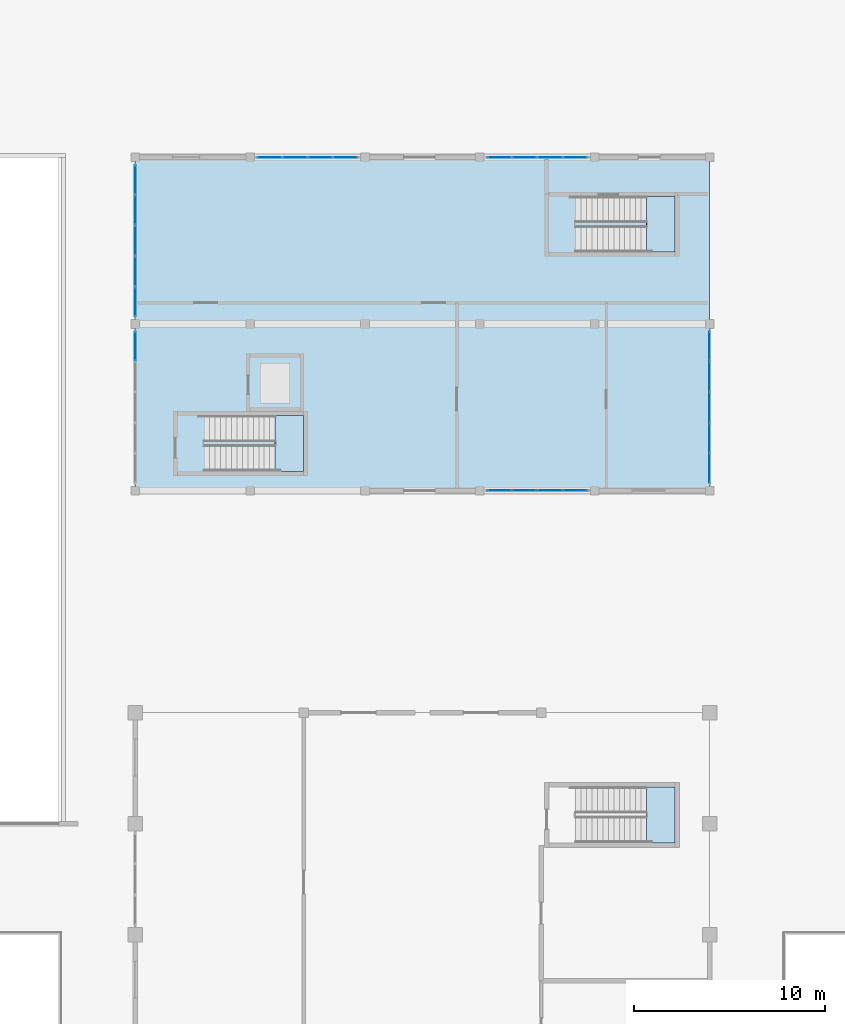
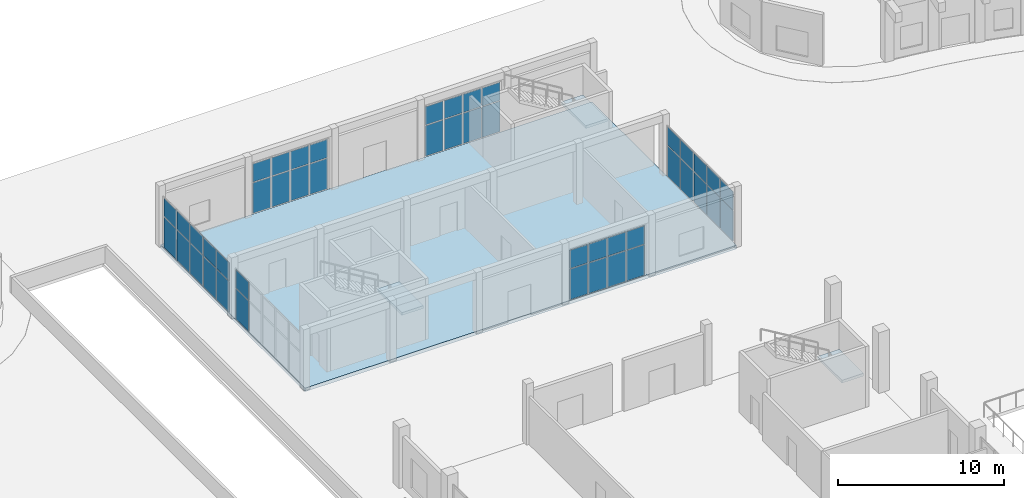
# One storey, part 79 of 132: 46 plates, 4 slabs, 9 elements without a shape of their own.
"""IFC4 building model written with IfcOpenShell, lengths in metres."""

from ifc_helpers import new_model, si_unit, direction, frame, origin, origin_2d, place, context, subcontext, project, spatial, polyline, rectangle, outline, extrude, material, layer, layer_set, type_object, element, aggregate, save


model = new_model("IFC4")

# Units and contexts
model_context = context("Model", 3, precision=1e-05, world=origin(), true_north=direction((0.0, 1.0)))
body_context = subcontext(model_context, "Body", "Model", "MODEL_VIEW")
ifc_project = project(units=[si_unit("LENGTHUNIT", "METRE"), si_unit("AREAUNIT", "SQUARE_METRE"), si_unit("VOLUMEUNIT", "CUBIC_METRE"), si_unit("PLANEANGLEUNIT", "RADIAN"), si_unit("MASSUNIT", "GRAM", prefix="KILO")], contexts=[model_context])

# Site, building, storey
site_placement = place(None, origin())
site = spatial("IfcSite", under=ifc_project, at=site_placement, CompositionType="ELEMENT")
building_placement = place(site_placement, origin())
building = spatial("IfcBuilding", under=site, at=building_placement, Name="Tanwirah Colonnade Gardens", CompositionType="ELEMENT")
storey_placement = place(building_placement, origin())
storey = spatial("IfcBuildingStorey", under=building, at=storey_placement, Name="L00", CompositionType="ELEMENT", Elevation=0.0)

# Curtain wall, plates
ifc_material_1 = material(Name="Bronze-anodised aluminium and solar-control low-E glass", Category="aluminium")
curtain_wall_type = type_object("IfcCurtainWallType", Name="CW-NUR", PredefinedType="NOTDEFINED", material=ifc_material_1)
curtain_wall_1_placement = place(storey_placement, origin())
curtain_wall_1 = element("IfcCurtainWall", 1, at=curtain_wall_1_placement, inside=storey, type_object=curtain_wall_type, Name="Curtain Wall CW-NUR-L00-S-3", PredefinedType="NOTDEFINED")
ifc_material_2 = material(Name="Solar-control low-E double glazing", Category="glass")
ifc_layer_1 = layer(ifc_material_2, 0.028076171875)
ifc_layer_set_1 = layer_set([ifc_layer_1], Name="Solar-control low-E double glazing")
plate_type = type_object("IfcPlateType", Name="CWP-GLZ28", PredefinedType="CURTAIN_PANEL", material=ifc_layer_set_1)
plate_1_placement = place(storey_placement, frame((97.027587890625, 92.0, 0.06005859375), z_axis=(0.0, 0.0, 1.0), x_axis=(1.0, 0.0, 0.0)))
plate_1 = element("IfcPlate", 2, at=plate_1_placement, type_object=plate_type, Name="CW-NUR panel 1.1", PredefinedType="CURTAIN_PANEL", context=body_context, shape_type="SweptSolid", body=[
    extrude(rectangle(XDim=1.235107421875, YDim=0.028076171875, at=origin_2d()), origin(), (0.0, 0.0, 1.0), 2.235107421875),
])
plate_2_placement = place(storey_placement, frame((97.027587890625, 92.0, 2.35498046875), z_axis=(0.0, 0.0, 1.0), x_axis=(1.0, 0.0, 0.0)))
plate_2 = element("IfcPlate", 3, at=plate_2_placement, type_object=plate_type, Name="CW-NUR panel 1.2", PredefinedType="CURTAIN_PANEL", context=body_context, shape_type="SweptSolid", body=[
    extrude(rectangle(XDim=1.235107421875, YDim=0.028076171875, at=origin_2d()), origin(), (0.0, 0.0, 1.0), 1.3349609375),
])
plate_3_placement = place(storey_placement, frame((98.33740234375, 92.0, 0.06005859375), z_axis=(0.0, 0.0, 1.0), x_axis=(1.0, 0.0, 0.0)))
plate_3 = element("IfcPlate", 4, at=plate_3_placement, type_object=plate_type, Name="CW-NUR panel 2.1", PredefinedType="CURTAIN_PANEL", context=body_context, shape_type="SweptSolid", body=[
    extrude(rectangle(XDim=1.264892578125, YDim=0.028076171875, at=origin_2d()), origin(), (0.0, 0.0, 1.0), 2.235107421875),
])
plate_4_placement = place(storey_placement, frame((98.33740234375, 92.0, 2.35498046875), z_axis=(0.0, 0.0, 1.0), x_axis=(1.0, 0.0, 0.0)))
plate_4 = element("IfcPlate", 5, at=plate_4_placement, type_object=plate_type, Name="CW-NUR panel 2.2", PredefinedType="CURTAIN_PANEL", context=body_context, shape_type="SweptSolid", body=[
    extrude(rectangle(XDim=1.264892578125, YDim=0.028076171875, at=origin_2d()), origin(), (0.0, 0.0, 1.0), 1.3349609375),
])
plate_5_placement = place(storey_placement, frame((99.66259765625, 92.0, 0.06005859375), z_axis=(0.0, 0.0, 1.0), x_axis=(1.0, 0.0, 0.0)))
plate_5 = element("IfcPlate", 6, at=plate_5_placement, type_object=plate_type, Name="CW-NUR panel 3.1", PredefinedType="CURTAIN_PANEL", context=body_context, shape_type="SweptSolid", body=[
    extrude(rectangle(XDim=1.264892578125, YDim=0.028076171875, at=origin_2d()), origin(), (0.0, 0.0, 1.0), 2.235107421875),
])
plate_6_placement = place(storey_placement, frame((99.66259765625, 92.0, 2.35498046875), z_axis=(0.0, 0.0, 1.0), x_axis=(1.0, 0.0, 0.0)))
plate_6 = element("IfcPlate", 7, at=plate_6_placement, type_object=plate_type, Name="CW-NUR panel 3.2", PredefinedType="CURTAIN_PANEL", context=body_context, shape_type="SweptSolid", body=[
    extrude(rectangle(XDim=1.264892578125, YDim=0.028076171875, at=origin_2d()), origin(), (0.0, 0.0, 1.0), 1.3349609375),
])
plate_7_placement = place(storey_placement, frame((100.972412109375, 92.0, 0.06005859375), z_axis=(0.0, 0.0, 1.0), x_axis=(1.0, 0.0, 0.0)))
plate_7 = element("IfcPlate", 8, at=plate_7_placement, type_object=plate_type, Name="CW-NUR panel 4.1", PredefinedType="CURTAIN_PANEL", context=body_context, shape_type="SweptSolid", body=[
    extrude(rectangle(XDim=1.235107421875, YDim=0.028076171875, at=origin_2d()), origin(), (0.0, 0.0, 1.0), 2.235107421875),
])
plate_8_placement = place(storey_placement, frame((100.972412109375, 92.0, 2.35498046875), z_axis=(0.0, 0.0, 1.0), x_axis=(1.0, 0.0, 0.0)))
plate_8 = element("IfcPlate", 9, at=plate_8_placement, type_object=plate_type, Name="CW-NUR panel 4.2", PredefinedType="CURTAIN_PANEL", context=body_context, shape_type="SweptSolid", body=[
    extrude(rectangle(XDim=1.235107421875, YDim=0.028076171875, at=origin_2d()), origin(), (0.0, 0.0, 1.0), 1.3349609375),
])
aggregate(curtain_wall_1, [plate_1, plate_2, plate_3, plate_4, plate_5, plate_6, plate_7, plate_8])

curtain_wall_2_placement = place(storey_placement, origin())
curtain_wall_2 = element("IfcCurtainWall", 10, at=curtain_wall_2_placement, inside=storey, type_object=curtain_wall_type, Name="Curtain Wall CW-NUR-L00-N-1", PredefinedType="NOTDEFINED")
plate_9_placement = place(storey_placement, frame((85.027587890625, 109.39990234375, 0.06005859375), z_axis=(0.0, 0.0, 1.0), x_axis=(1.0, 0.0, 0.0)))
plate_9 = element("IfcPlate", 11, at=plate_9_placement, type_object=plate_type, Name="CW-NUR panel 1.1", PredefinedType="CURTAIN_PANEL", context=body_context, shape_type="SweptSolid", body=[
    extrude(rectangle(XDim=1.235107421875, YDim=0.028076171875, at=origin_2d()), origin(), (0.0, 0.0, 1.0), 2.235107421875),
])
plate_10_placement = place(storey_placement, frame((85.027587890625, 109.39990234375, 2.35498046875), z_axis=(0.0, 0.0, 1.0), x_axis=(1.0, 0.0, 0.0)))
plate_10 = element("IfcPlate", 12, at=plate_10_placement, type_object=plate_type, Name="CW-NUR panel 1.2", PredefinedType="CURTAIN_PANEL", context=body_context, shape_type="SweptSolid", body=[
    extrude(rectangle(XDim=1.235107421875, YDim=0.028076171875, at=origin_2d()), origin(), (0.0, 0.0, 1.0), 1.3349609375),
])
plate_11_placement = place(storey_placement, frame((86.33740234375, 109.39990234375, 0.06005859375), z_axis=(0.0, 0.0, 1.0), x_axis=(1.0, 0.0, 0.0)))
plate_11 = element("IfcPlate", 13, at=plate_11_placement, type_object=plate_type, Name="CW-NUR panel 2.1", PredefinedType="CURTAIN_PANEL", context=body_context, shape_type="SweptSolid", body=[
    extrude(rectangle(XDim=1.264892578125, YDim=0.028076171875, at=origin_2d()), origin(), (0.0, 0.0, 1.0), 2.235107421875),
])
plate_12_placement = place(storey_placement, frame((86.33740234375, 109.39990234375, 2.35498046875), z_axis=(0.0, 0.0, 1.0), x_axis=(1.0, 0.0, 0.0)))
plate_12 = element("IfcPlate", 14, at=plate_12_placement, type_object=plate_type, Name="CW-NUR panel 2.2", PredefinedType="CURTAIN_PANEL", context=body_context, shape_type="SweptSolid", body=[
    extrude(rectangle(XDim=1.264892578125, YDim=0.028076171875, at=origin_2d()), origin(), (0.0, 0.0, 1.0), 1.3349609375),
])
plate_13_placement = place(storey_placement, frame((87.66259765625, 109.39990234375, 0.06005859375), z_axis=(0.0, 0.0, 1.0), x_axis=(1.0, 0.0, 0.0)))
plate_13 = element("IfcPlate", 15, at=plate_13_placement, type_object=plate_type, Name="CW-NUR panel 3.1", PredefinedType="CURTAIN_PANEL", context=body_context, shape_type="SweptSolid", body=[
    extrude(rectangle(XDim=1.264892578125, YDim=0.028076171875, at=origin_2d()), origin(), (0.0, 0.0, 1.0), 2.235107421875),
])
plate_14_placement = place(storey_placement, frame((87.66259765625, 109.39990234375, 2.35498046875), z_axis=(0.0, 0.0, 1.0), x_axis=(1.0, 0.0, 0.0)))
plate_14 = element("IfcPlate", 16, at=plate_14_placement, type_object=plate_type, Name="CW-NUR panel 3.2", PredefinedType="CURTAIN_PANEL", context=body_context, shape_type="SweptSolid", body=[
    extrude(rectangle(XDim=1.264892578125, YDim=0.028076171875, at=origin_2d()), origin(), (0.0, 0.0, 1.0), 1.3349609375),
])
plate_15_placement = place(storey_placement, frame((88.972412109375, 109.39990234375, 0.06005859375), z_axis=(0.0, 0.0, 1.0), x_axis=(1.0, 0.0, 0.0)))
plate_15 = element("IfcPlate", 17, at=plate_15_placement, type_object=plate_type, Name="CW-NUR panel 4.1", PredefinedType="CURTAIN_PANEL", context=body_context, shape_type="SweptSolid", body=[
    extrude(rectangle(XDim=1.235107421875, YDim=0.028076171875, at=origin_2d()), origin(), (0.0, 0.0, 1.0), 2.235107421875),
])
plate_16_placement = place(storey_placement, frame((88.972412109375, 109.39990234375, 2.35498046875), z_axis=(0.0, 0.0, 1.0), x_axis=(1.0, 0.0, 0.0)))
plate_16 = element("IfcPlate", 18, at=plate_16_placement, type_object=plate_type, Name="CW-NUR panel 4.2", PredefinedType="CURTAIN_PANEL", context=body_context, shape_type="SweptSolid", body=[
    extrude(rectangle(XDim=1.235107421875, YDim=0.028076171875, at=origin_2d()), origin(), (0.0, 0.0, 1.0), 1.3349609375),
])
aggregate(curtain_wall_2, [plate_9, plate_10, plate_11, plate_12, plate_13, plate_14, plate_15, plate_16])

curtain_wall_3_placement = place(storey_placement, origin())
curtain_wall_3 = element("IfcCurtainWall", 19, at=curtain_wall_3_placement, inside=storey, type_object=curtain_wall_type, Name="Curtain Wall CW-NUR-L00-N-3", PredefinedType="NOTDEFINED")
plate_17_placement = place(storey_placement, frame((97.027587890625, 109.39990234375, 0.06005859375), z_axis=(0.0, 0.0, 1.0), x_axis=(1.0, 0.0, 0.0)))
plate_17 = element("IfcPlate", 20, at=plate_17_placement, type_object=plate_type, Name="CW-NUR panel 1.1", PredefinedType="CURTAIN_PANEL", context=body_context, shape_type="SweptSolid", body=[
    extrude(rectangle(XDim=1.235107421875, YDim=0.028076171875, at=origin_2d()), origin(), (0.0, 0.0, 1.0), 2.235107421875),
])
plate_18_placement = place(storey_placement, frame((97.027587890625, 109.39990234375, 2.35498046875), z_axis=(0.0, 0.0, 1.0), x_axis=(1.0, 0.0, 0.0)))
plate_18 = element("IfcPlate", 21, at=plate_18_placement, type_object=plate_type, Name="CW-NUR panel 1.2", PredefinedType="CURTAIN_PANEL", context=body_context, shape_type="SweptSolid", body=[
    extrude(rectangle(XDim=1.235107421875, YDim=0.028076171875, at=origin_2d()), origin(), (0.0, 0.0, 1.0), 1.3349609375),
])
plate_19_placement = place(storey_placement, frame((98.33740234375, 109.39990234375, 0.06005859375), z_axis=(0.0, 0.0, 1.0), x_axis=(1.0, 0.0, 0.0)))
plate_19 = element("IfcPlate", 22, at=plate_19_placement, type_object=plate_type, Name="CW-NUR panel 2.1", PredefinedType="CURTAIN_PANEL", context=body_context, shape_type="SweptSolid", body=[
    extrude(rectangle(XDim=1.264892578125, YDim=0.028076171875, at=origin_2d()), origin(), (0.0, 0.0, 1.0), 2.235107421875),
])
plate_20_placement = place(storey_placement, frame((98.33740234375, 109.39990234375, 2.35498046875), z_axis=(0.0, 0.0, 1.0), x_axis=(1.0, 0.0, 0.0)))
plate_20 = element("IfcPlate", 23, at=plate_20_placement, type_object=plate_type, Name="CW-NUR panel 2.2", PredefinedType="CURTAIN_PANEL", context=body_context, shape_type="SweptSolid", body=[
    extrude(rectangle(XDim=1.264892578125, YDim=0.028076171875, at=origin_2d()), origin(), (0.0, 0.0, 1.0), 1.3349609375),
])
plate_21_placement = place(storey_placement, frame((99.66259765625, 109.39990234375, 0.06005859375), z_axis=(0.0, 0.0, 1.0), x_axis=(1.0, 0.0, 0.0)))
plate_21 = element("IfcPlate", 24, at=plate_21_placement, type_object=plate_type, Name="CW-NUR panel 3.1", PredefinedType="CURTAIN_PANEL", context=body_context, shape_type="SweptSolid", body=[
    extrude(rectangle(XDim=1.264892578125, YDim=0.028076171875, at=origin_2d()), origin(), (0.0, 0.0, 1.0), 2.235107421875),
])
plate_22_placement = place(storey_placement, frame((99.66259765625, 109.39990234375, 2.35498046875), z_axis=(0.0, 0.0, 1.0), x_axis=(1.0, 0.0, 0.0)))
plate_22 = element("IfcPlate", 25, at=plate_22_placement, type_object=plate_type, Name="CW-NUR panel 3.2", PredefinedType="CURTAIN_PANEL", context=body_context, shape_type="SweptSolid", body=[
    extrude(rectangle(XDim=1.264892578125, YDim=0.028076171875, at=origin_2d()), origin(), (0.0, 0.0, 1.0), 1.3349609375),
])
plate_23_placement = place(storey_placement, frame((100.972412109375, 109.39990234375, 0.06005859375), z_axis=(0.0, 0.0, 1.0), x_axis=(1.0, 0.0, 0.0)))
plate_23 = element("IfcPlate", 26, at=plate_23_placement, type_object=plate_type, Name="CW-NUR panel 4.1", PredefinedType="CURTAIN_PANEL", context=body_context, shape_type="SweptSolid", body=[
    extrude(rectangle(XDim=1.235107421875, YDim=0.028076171875, at=origin_2d()), origin(), (0.0, 0.0, 1.0), 2.235107421875),
])
plate_24_placement = place(storey_placement, frame((100.972412109375, 109.39990234375, 2.35498046875), z_axis=(0.0, 0.0, 1.0), x_axis=(1.0, 0.0, 0.0)))
plate_24 = element("IfcPlate", 27, at=plate_24_placement, type_object=plate_type, Name="CW-NUR panel 4.2", PredefinedType="CURTAIN_PANEL", context=body_context, shape_type="SweptSolid", body=[
    extrude(rectangle(XDim=1.235107421875, YDim=0.028076171875, at=origin_2d()), origin(), (0.0, 0.0, 1.0), 1.3349609375),
])
aggregate(curtain_wall_3, [plate_17, plate_18, plate_19, plate_20, plate_21, plate_22, plate_23, plate_24])

curtain_wall_4_placement = place(storey_placement, origin())
curtain_wall_4 = element("IfcCurtainWall", 28, at=curtain_wall_4_placement, inside=storey, type_object=curtain_wall_type, Name="Curtain Wall CW-NUR-L00-W-1", PredefinedType="NOTDEFINED")
plate_25_placement = place(storey_placement, frame((78.0, 99.534912109375, 0.06005859375), z_axis=(0.0, 0.0, 1.0), x_axis=(0.0, 1.0, 0.0)))
plate_25 = element("IfcPlate", 29, at=plate_25_placement, type_object=plate_type, Name="CW-NUR panel 5.1", PredefinedType="CURTAIN_PANEL", context=body_context, shape_type="SweptSolid", body=[
    extrude(rectangle(XDim=1.510009765625, YDim=0.028076171875, at=origin_2d()), origin(), (0.0, 0.0, 1.0), 2.235107421875),
])
plate_26_placement = place(storey_placement, frame((78.0, 99.534912109375, 2.35498046875), z_axis=(0.0, 0.0, 1.0), x_axis=(0.0, 1.0, 0.0)))
plate_26 = element("IfcPlate", 30, at=plate_26_placement, type_object=plate_type, Name="CW-NUR panel 5.2", PredefinedType="CURTAIN_PANEL", context=body_context, shape_type="SweptSolid", body=[
    extrude(rectangle(XDim=1.510009765625, YDim=0.028076171875, at=origin_2d()), origin(), (0.0, 0.0, 1.0), 1.3349609375),
])
aggregate(curtain_wall_4, [plate_25, plate_26])

curtain_wall_5_placement = place(storey_placement, origin())
curtain_wall_5 = element("IfcCurtainWall", 31, at=curtain_wall_5_placement, inside=storey, type_object=curtain_wall_type, Name="Curtain Wall CW-NUR-L00-W-2", PredefinedType="NOTDEFINED")
plate_27_placement = place(storey_placement, frame((78.0, 101.864990234375, 0.06005859375), z_axis=(0.0, 0.0, 1.0), x_axis=(0.0, 1.0, 0.0)))
plate_27 = element("IfcPlate", 32, at=plate_27_placement, type_object=plate_type, Name="CW-NUR panel 1.1", PredefinedType="CURTAIN_PANEL", context=body_context, shape_type="SweptSolid", body=[
    extrude(rectangle(XDim=1.510009765625, YDim=0.028076171875, at=origin_2d()), origin(), (0.0, 0.0, 1.0), 2.235107421875),
])
plate_28_placement = place(storey_placement, frame((78.0, 101.864990234375, 2.35498046875), z_axis=(0.0, 0.0, 1.0), x_axis=(0.0, 1.0, 0.0)))
plate_28 = element("IfcPlate", 33, at=plate_28_placement, type_object=plate_type, Name="CW-NUR panel 1.2", PredefinedType="CURTAIN_PANEL", context=body_context, shape_type="SweptSolid", body=[
    extrude(rectangle(XDim=1.510009765625, YDim=0.028076171875, at=origin_2d()), origin(), (0.0, 0.0, 1.0), 1.3349609375),
])
plate_29_placement = place(storey_placement, frame((78.0, 103.449951171875, 0.06005859375), z_axis=(0.0, 0.0, 1.0), x_axis=(0.0, 1.0, 0.0)))
plate_29 = element("IfcPlate", 34, at=plate_29_placement, type_object=plate_type, Name="CW-NUR panel 2.1", PredefinedType="CURTAIN_PANEL", context=body_context, shape_type="SweptSolid", body=[
    extrude(rectangle(XDim=1.5400390625, YDim=0.028076171875, at=origin_2d()), origin(), (0.0, 0.0, 1.0), 2.235107421875),
])
plate_30_placement = place(storey_placement, frame((78.0, 103.449951171875, 2.35498046875), z_axis=(0.0, 0.0, 1.0), x_axis=(0.0, 1.0, 0.0)))
plate_30 = element("IfcPlate", 35, at=plate_30_placement, type_object=plate_type, Name="CW-NUR panel 2.2", PredefinedType="CURTAIN_PANEL", context=body_context, shape_type="SweptSolid", body=[
    extrude(rectangle(XDim=1.5400390625, YDim=0.028076171875, at=origin_2d()), origin(), (0.0, 0.0, 1.0), 1.3349609375),
])
plate_31_placement = place(storey_placement, frame((78.0, 105.050048828125, 0.06005859375), z_axis=(0.0, 0.0, 1.0), x_axis=(0.0, 1.0, 0.0)))
plate_31 = element("IfcPlate", 36, at=plate_31_placement, type_object=plate_type, Name="CW-NUR panel 3.1", PredefinedType="CURTAIN_PANEL", context=body_context, shape_type="SweptSolid", body=[
    extrude(rectangle(XDim=1.5400390625, YDim=0.028076171875, at=origin_2d()), origin(), (0.0, 0.0, 1.0), 2.235107421875),
])
plate_32_placement = place(storey_placement, frame((78.0, 105.050048828125, 2.35498046875), z_axis=(0.0, 0.0, 1.0), x_axis=(0.0, 1.0, 0.0)))
plate_32 = element("IfcPlate", 37, at=plate_32_placement, type_object=plate_type, Name="CW-NUR panel 3.2", PredefinedType="CURTAIN_PANEL", context=body_context, shape_type="SweptSolid", body=[
    extrude(rectangle(XDim=1.5400390625, YDim=0.028076171875, at=origin_2d()), origin(), (0.0, 0.0, 1.0), 1.3349609375),
])
plate_33_placement = place(storey_placement, frame((78.0, 106.64990234375, 0.06005859375), z_axis=(0.0, 0.0, 1.0), x_axis=(0.0, 1.0, 0.0)))
plate_33 = element("IfcPlate", 38, at=plate_33_placement, type_object=plate_type, Name="CW-NUR panel 4.1", PredefinedType="CURTAIN_PANEL", context=body_context, shape_type="SweptSolid", body=[
    extrude(rectangle(XDim=1.5400390625, YDim=0.028076171875, at=origin_2d()), origin(), (0.0, 0.0, 1.0), 2.235107421875),
])
plate_34_placement = place(storey_placement, frame((78.0, 106.64990234375, 2.35498046875), z_axis=(0.0, 0.0, 1.0), x_axis=(0.0, 1.0, 0.0)))
plate_34 = element("IfcPlate", 39, at=plate_34_placement, type_object=plate_type, Name="CW-NUR panel 4.2", PredefinedType="CURTAIN_PANEL", context=body_context, shape_type="SweptSolid", body=[
    extrude(rectangle(XDim=1.5400390625, YDim=0.028076171875, at=origin_2d()), origin(), (0.0, 0.0, 1.0), 1.3349609375),
])
plate_35_placement = place(storey_placement, frame((78.0, 108.235107421875, 0.06005859375), z_axis=(0.0, 0.0, 1.0), x_axis=(0.0, 1.0, 0.0)))
plate_35 = element("IfcPlate", 40, at=plate_35_placement, type_object=plate_type, Name="CW-NUR panel 5.1", PredefinedType="CURTAIN_PANEL", context=body_context, shape_type="SweptSolid", body=[
    extrude(rectangle(XDim=1.510009765625, YDim=0.028076171875, at=origin_2d()), origin(), (0.0, 0.0, 1.0), 2.235107421875),
])
plate_36_placement = place(storey_placement, frame((78.0, 108.235107421875, 2.35498046875), z_axis=(0.0, 0.0, 1.0), x_axis=(0.0, 1.0, 0.0)))
plate_36 = element("IfcPlate", 41, at=plate_36_placement, type_object=plate_type, Name="CW-NUR panel 5.2", PredefinedType="CURTAIN_PANEL", context=body_context, shape_type="SweptSolid", body=[
    extrude(rectangle(XDim=1.510009765625, YDim=0.028076171875, at=origin_2d()), origin(), (0.0, 0.0, 1.0), 1.3349609375),
])
aggregate(curtain_wall_5, [plate_27, plate_28, plate_29, plate_30, plate_31, plate_32, plate_33, plate_34, plate_35, plate_36])

curtain_wall_6_placement = place(storey_placement, origin())
curtain_wall_6 = element("IfcCurtainWall", 42, at=curtain_wall_6_placement, inside=storey, type_object=curtain_wall_type, Name="Curtain Wall CW-NUR-L00-E-1", PredefinedType="NOTDEFINED")
plate_37_placement = place(storey_placement, frame((108.0, 93.1650390625, 0.06005859375), z_axis=(0.0, 0.0, 1.0), x_axis=(0.0, 1.0, 0.0)))
plate_37 = element("IfcPlate", 43, at=plate_37_placement, type_object=plate_type, Name="CW-NUR panel 1.1", PredefinedType="CURTAIN_PANEL", context=body_context, shape_type="SweptSolid", body=[
    extrude(rectangle(XDim=1.510009765625, YDim=0.028076171875, at=origin_2d()), origin(), (0.0, 0.0, 1.0), 2.235107421875),
])
plate_38_placement = place(storey_placement, frame((108.0, 93.1650390625, 2.35498046875), z_axis=(0.0, 0.0, 1.0), x_axis=(0.0, 1.0, 0.0)))
plate_38 = element("IfcPlate", 44, at=plate_38_placement, type_object=plate_type, Name="CW-NUR panel 1.2", PredefinedType="CURTAIN_PANEL", context=body_context, shape_type="SweptSolid", body=[
    extrude(rectangle(XDim=1.510009765625, YDim=0.028076171875, at=origin_2d()), origin(), (0.0, 0.0, 1.0), 1.3349609375),
])
plate_39_placement = place(storey_placement, frame((108.0, 94.75, 0.06005859375), z_axis=(0.0, 0.0, 1.0), x_axis=(0.0, 1.0, 0.0)))
plate_39 = element("IfcPlate", 45, at=plate_39_placement, type_object=plate_type, Name="CW-NUR panel 2.1", PredefinedType="CURTAIN_PANEL", context=body_context, shape_type="SweptSolid", body=[
    extrude(rectangle(XDim=1.5400390625, YDim=0.028076171875, at=origin_2d()), origin(), (0.0, 0.0, 1.0), 2.235107421875),
])
plate_40_placement = place(storey_placement, frame((108.0, 94.75, 2.35498046875), z_axis=(0.0, 0.0, 1.0), x_axis=(0.0, 1.0, 0.0)))
plate_40 = element("IfcPlate", 46, at=plate_40_placement, type_object=plate_type, Name="CW-NUR panel 2.2", PredefinedType="CURTAIN_PANEL", context=body_context, shape_type="SweptSolid", body=[
    extrude(rectangle(XDim=1.5400390625, YDim=0.028076171875, at=origin_2d()), origin(), (0.0, 0.0, 1.0), 1.3349609375),
])
plate_41_placement = place(storey_placement, frame((108.0, 96.35009765625, 0.06005859375), z_axis=(0.0, 0.0, 1.0), x_axis=(0.0, 1.0, 0.0)))
plate_41 = element("IfcPlate", 47, at=plate_41_placement, type_object=plate_type, Name="CW-NUR panel 3.1", PredefinedType="CURTAIN_PANEL", context=body_context, shape_type="SweptSolid", body=[
    extrude(rectangle(XDim=1.5400390625, YDim=0.028076171875, at=origin_2d()), origin(), (0.0, 0.0, 1.0), 2.235107421875),
])
plate_42_placement = place(storey_placement, frame((108.0, 96.35009765625, 2.35498046875), z_axis=(0.0, 0.0, 1.0), x_axis=(0.0, 1.0, 0.0)))
plate_42 = element("IfcPlate", 48, at=plate_42_placement, type_object=plate_type, Name="CW-NUR panel 3.2", PredefinedType="CURTAIN_PANEL", context=body_context, shape_type="SweptSolid", body=[
    extrude(rectangle(XDim=1.5400390625, YDim=0.028076171875, at=origin_2d()), origin(), (0.0, 0.0, 1.0), 1.3349609375),
])
plate_43_placement = place(storey_placement, frame((108.0, 97.949951171875, 0.06005859375), z_axis=(0.0, 0.0, 1.0), x_axis=(0.0, 1.0, 0.0)))
plate_43 = element("IfcPlate", 49, at=plate_43_placement, type_object=plate_type, Name="CW-NUR panel 4.1", PredefinedType="CURTAIN_PANEL", context=body_context, shape_type="SweptSolid", body=[
    extrude(rectangle(XDim=1.5400390625, YDim=0.028076171875, at=origin_2d()), origin(), (0.0, 0.0, 1.0), 2.235107421875),
])
plate_44_placement = place(storey_placement, frame((108.0, 97.949951171875, 2.35498046875), z_axis=(0.0, 0.0, 1.0), x_axis=(0.0, 1.0, 0.0)))
plate_44 = element("IfcPlate", 50, at=plate_44_placement, type_object=plate_type, Name="CW-NUR panel 4.2", PredefinedType="CURTAIN_PANEL", context=body_context, shape_type="SweptSolid", body=[
    extrude(rectangle(XDim=1.5400390625, YDim=0.028076171875, at=origin_2d()), origin(), (0.0, 0.0, 1.0), 1.3349609375),
])
plate_45_placement = place(storey_placement, frame((108.0, 99.534912109375, 0.06005859375), z_axis=(0.0, 0.0, 1.0), x_axis=(0.0, 1.0, 0.0)))
plate_45 = element("IfcPlate", 51, at=plate_45_placement, type_object=plate_type, Name="CW-NUR panel 5.1", PredefinedType="CURTAIN_PANEL", context=body_context, shape_type="SweptSolid", body=[
    extrude(rectangle(XDim=1.510009765625, YDim=0.028076171875, at=origin_2d()), origin(), (0.0, 0.0, 1.0), 2.235107421875),
])
plate_46_placement = place(storey_placement, frame((108.0, 99.534912109375, 2.35498046875), z_axis=(0.0, 0.0, 1.0), x_axis=(0.0, 1.0, 0.0)))
plate_46 = element("IfcPlate", 52, at=plate_46_placement, type_object=plate_type, Name="CW-NUR panel 5.2", PredefinedType="CURTAIN_PANEL", context=body_context, shape_type="SweptSolid", body=[
    extrude(rectangle(XDim=1.510009765625, YDim=0.028076171875, at=origin_2d()), origin(), (0.0, 0.0, 1.0), 1.3349609375),
])
aggregate(curtain_wall_6, [plate_37, plate_38, plate_39, plate_40, plate_41, plate_42, plate_43, plate_44, plate_45, plate_46])

# Stair, slab
ifc_material_3 = material(Name="Precast concrete C40/50", Category="concrete")
stair_type = type_object("IfcStairType", Name="ST-PAV170", PredefinedType="HALF_TURN_STAIR", material=ifc_material_3)
stair_1_placement = place(storey_placement, origin())
stair_1 = element("IfcStair", 53, at=stair_1_placement, inside=storey, type_object=stair_type, Name="L00 Community Hall NE Exit Stair", PredefinedType="HALF_TURN_STAIR")
ifc_layer_2 = layer(ifc_material_3, 0.205078125)
ifc_layer_set_2 = layer_set([ifc_layer_2], Name="Precast concrete C40/50")
slab_type_1 = type_object("IfcSlabType", Name="SL-LND-205", PredefinedType="LANDING", material=ifc_layer_set_2)
slab_1_placement = place(storey_placement, frame((0.0, 0.0, 2.175048828125)))
slab_1 = element("IfcSlab", 54, at=slab_1_placement, type_object=slab_type_1, Name="ST-H2 landing 1", PredefinedType="LANDING", context=body_context, shape_type="SweptSolid", body=[
    extrude(outline(polyline([(104.705078125, 73.60009765625), (106.199951171875, 73.60009765625), (106.199951171875, 76.52001953125), (104.705078125, 76.52001953125), (104.705078125, 73.60009765625)])), origin(), (0.0, 0.0, 1.0), 0.204833984375),
])
aggregate(stair_1, [slab_1])

stair_2_placement = place(storey_placement, origin())
stair_2 = element("IfcStair", 55, at=stair_2_placement, inside=storey, type_object=stair_type, Name="L00 Nursery Pavilion West Exit Stair", PredefinedType="HALF_TURN_STAIR")
slab_2_placement = place(storey_placement, frame((0.0, 0.0, 2.175048828125)))
slab_2 = element("IfcSlab", 56, at=slab_2_placement, type_object=slab_type_1, Name="ST-N1 landing 1", PredefinedType="LANDING", context=body_context, shape_type="SweptSolid", body=[
    extrude(outline(polyline([(85.304931640625, 93.0), (86.800048828125, 93.0), (86.800048828125, 95.919921875), (85.304931640625, 95.919921875), (85.304931640625, 93.0)])), origin(), (0.0, 0.0, 1.0), 0.204833984375),
])
aggregate(stair_2, [slab_2])

stair_3_placement = place(storey_placement, origin())
stair_3 = element("IfcStair", 57, at=stair_3_placement, inside=storey, type_object=stair_type, Name="L00 Nursery Pavilion East Exit Stair", PredefinedType="HALF_TURN_STAIR")
slab_3_placement = place(storey_placement, frame((0.0, 0.0, 2.175048828125)))
slab_3 = element("IfcSlab", 58, at=slab_3_placement, type_object=slab_type_1, Name="ST-N2 landing 1", PredefinedType="LANDING", context=body_context, shape_type="SweptSolid", body=[
    extrude(outline(polyline([(104.705078125, 104.449951171875), (106.199951171875, 104.449951171875), (106.199951171875, 107.3701171875), (104.705078125, 107.3701171875), (104.705078125, 104.449951171875)])), origin(), (0.0, 0.0, 1.0), 0.204833984375),
])
aggregate(stair_3, [slab_3])

# Slab
ifc_layer_3 = layer(ifc_material_3, 0.264892578125)
ifc_layer_set_3 = layer_set([ifc_layer_3], Name="Precast concrete C40/50")
slab_type_2 = type_object("IfcSlabType", Name="SL-NUR-265", PredefinedType="FLOOR", material=ifc_layer_set_3)
slab_4_placement = place(storey_placement, frame((0.0, 0.0, -0.264892578125)))
element("IfcSlab", 59, at=slab_4_placement, inside=storey, type_object=slab_type_2, Name="Nursery Pavilion L00 Floor Slab", PredefinedType="FLOOR", context=body_context, shape_type="SweptSolid", body=[
    extrude(outline(polyline([(108.0, 92.0), (108.0, 109.39990234375), (78.0, 109.39990234375), (78.0, 92.0), (108.0, 92.0)])), origin(), (0.0, 0.0, 1.0), 0.264892578125),
])

save(model, "model.ifc")
